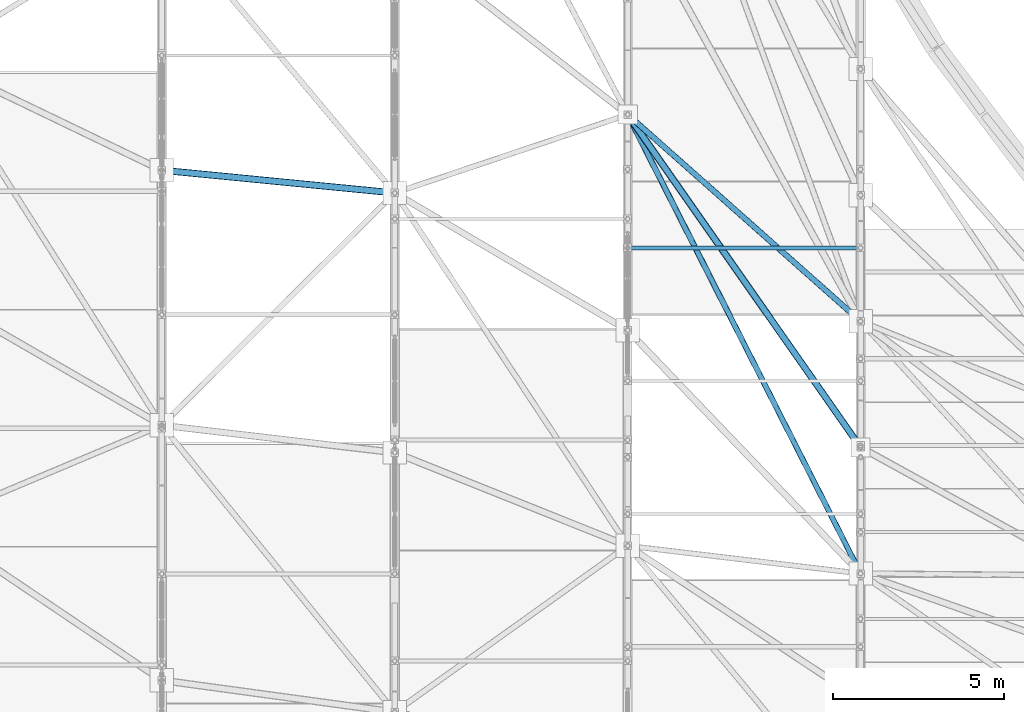
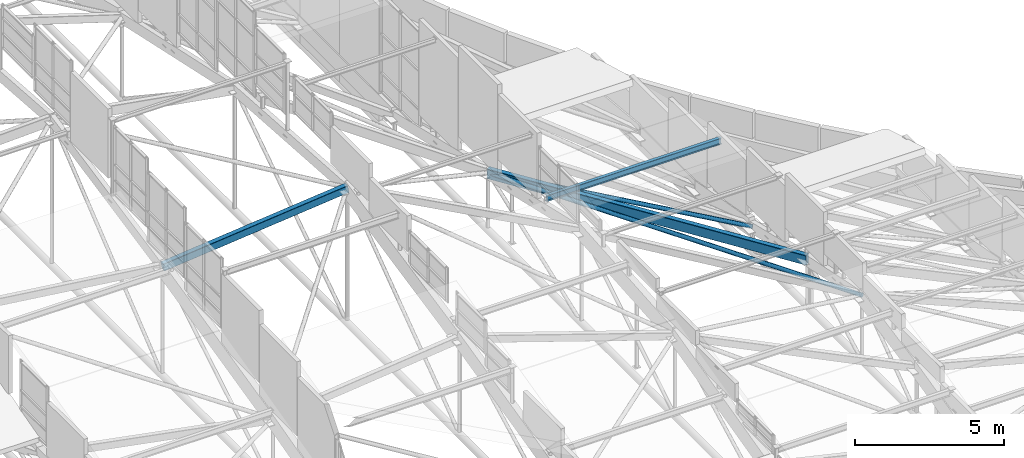
# One storey, part 22 of 188: 5 members.
"""IFC4 building model written with IfcOpenShell, lengths in metres."""

from ifc_helpers import new_model, si_unit, direction, frame, origin, origin_2d, place, context, subcontext, project, spatial, hollow_rectangle, hollow_circle, i_section, extrude, material, material_profile, profile_set, type_object, element, save


model = new_model("IFC4")

# Units and contexts
model_context = context("Model", 3, precision=1e-05, world=origin(), true_north=direction((0.0, 1.0)))
body_context = subcontext(model_context, "Body", "Model", "MODEL_VIEW")
ifc_project = project(units=[si_unit("LENGTHUNIT", "METRE"), si_unit("AREAUNIT", "SQUARE_METRE"), si_unit("VOLUMEUNIT", "CUBIC_METRE"), si_unit("PLANEANGLEUNIT", "RADIAN"), si_unit("MASSUNIT", "GRAM", prefix="KILO")], contexts=[model_context])

# Site, building, storey
site_placement = place(None, origin())
site = spatial("IfcSite", under=ifc_project, at=site_placement, CompositionType="ELEMENT")
building_placement = place(site_placement, origin())
building = spatial("IfcBuilding", under=site, at=building_placement, Name="Kisaragi Civic Commons", CompositionType="ELEMENT")
storey_placement = place(building_placement, frame((0.0, 0.0, 9.60009765625)))
storey = spatial("IfcBuildingStorey", under=building, at=storey_placement, Name="L02", CompositionType="ELEMENT", Elevation=9.60009765625)

# Members
ifc_material_1 = material(Name="Steel SN400 (SN400B)", Category="steel")
ifc_material_profile_1 = material_profile(ifc_material_1, hollow_circle(Radius=0.08251953125, WallThickness=0.006103515625, at=origin_2d()), Name="CHS-165.2x6.0", Category="steel")
ifc_profile_set_1 = profile_set([ifc_material_profile_1], Name="Steel SN400 (SN400B)")
member_type_1 = type_object("IfcMemberType", Name="BR-02", PredefinedType="BRACE", material=ifc_profile_set_1)
member_1_placement = place(storey_placement, frame((27.199951171875, 26.800537109375, 1.898193359375), z_axis=(0.452109991358, -0.890731187871, 0.046845561881), x_axis=(0.891710157198, 0.452606888536, 0.0)))
element("IfcMember", 1, at=member_1_placement, inside=storey, type_object=member_type_1, Name="V1 diagonal gridshell steel brace 27", PredefinedType="BRACE", context=body_context, shape_type="SweptSolid", body=[
    extrude(hollow_circle(Radius=0.08251953125, WallThickness=0.006103515625, at=origin_2d()), origin(), (0.0, 0.0, 1.0), 15.040771484375),
])
member_2_placement = place(storey_placement, frame((27.199951171875, 26.800537109375, 1.898193359375), z_axis=(0.743970108761, -0.660152272216, -0.103476831987), x_axis=(0.663715185477, 0.747985395958, 0.0)))
element("IfcMember", 2, at=member_2_placement, inside=storey, type_object=member_type_1, Name="V1 diagonal gridshell steel brace 28", PredefinedType="BRACE", context=body_context, shape_type="SweptSolid", body=[
    extrude(hollow_circle(Radius=0.08251953125, WallThickness=0.006103515625, at=origin_2d()), origin(), (0.0, 0.0, 1.0), 9.14013671875),
])
ifc_material_2 = material(Name="Steel SN490 (SN490B)", Category="steel")
ifc_material_profile_2 = material_profile(ifc_material_2, hollow_rectangle(XDim=0.199951171875, YDim=0.39990234375, WallThickness=0.011962890625, InnerFilletRadius=0.011962890625, OuterFilletRadius=0.02392578125, at=origin_2d()), Name="STKR-400x200x12", Category="steel")
ifc_profile_set_2 = profile_set([ifc_material_profile_2], Name="Steel SN490 (SN490B)")
member_type_2 = type_object("IfcMemberType", Name="GC-01", PredefinedType="CHORD", material=ifc_profile_set_2)
member_3_placement = place(storey_placement, frame((27.199951171875, 26.800537109375, 1.898193359375), z_axis=(0.573408419446, -0.819257819691, -0.004405608077), x_axis=(0.819265770451, 0.573413984279, 0.0)))
element("IfcMember", 3, at=member_3_placement, inside=storey, type_object=member_type_2, Name="V1 wave gridshell chord GC-01 32", PredefinedType="CHORD", context=body_context, shape_type="SweptSolid", body=[
    extrude(hollow_rectangle(XDim=0.199951171875, YDim=0.39990234375, WallThickness=0.011962890625, InnerFilletRadius=0.011962890625, OuterFilletRadius=0.02392578125, at=origin_2d()), origin(), (0.0, 0.0, 1.0), 11.85888671875),
])
ifc_material_profile_3 = material_profile(ifc_material_2, hollow_rectangle(XDim=0.199951171875, YDim=0.300048828125, WallThickness=0.009033203125, InnerFilletRadius=0.009033203125, OuterFilletRadius=0.01806640625, at=origin_2d()), Name="STKR-300x200x9", Category="steel")
ifc_profile_set_3 = profile_set([ifc_material_profile_3], Name="Steel SN490 (SN490B)")
member_type_3 = type_object("IfcMemberType", Name="GC-02", PredefinedType="CHORD", material=ifc_profile_set_3)
member_4_placement = place(storey_placement, frame((13.60009765625, 25.17529296875, 3.785888671875), z_axis=(0.978832093369, -0.095416096995, 0.181062147962), x_axis=(0.097019671479, 0.995282464101, 0.0)))
element("IfcMember", 4, at=member_4_placement, inside=storey, type_object=member_type_3, Name="V1 wave gridshell chord GC-02 17", PredefinedType="CHORD", context=body_context, shape_type="SweptSolid", body=[
    extrude(hollow_rectangle(XDim=0.199951171875, YDim=0.300048828125, WallThickness=0.009033203125, InnerFilletRadius=0.009033203125, OuterFilletRadius=0.01806640625, at=origin_2d()), origin(), (0.0, 0.0, 1.0), 6.94677734375),
])
ifc_material_profile_4 = material_profile(ifc_material_1, i_section(OverallWidth=0.125, OverallDepth=0.25, WebThickness=0.006103515625, FlangeThickness=0.009033203125, FilletRadius=0.008056640625, at=origin_2d()), Name="H-250x125x6x9", Category="steel")
ifc_profile_set_4 = profile_set([ifc_material_profile_4], Name="Steel SN400 (SN400B)")
member_type_4 = type_object("IfcMemberType", Name="PR-01", PredefinedType="PURLIN", material=ifc_profile_set_4)
member_5_placement = place(storey_placement, frame((27.199951171875, 22.907470703125, 3.209716796875), z_axis=(1.0, 0.0, 0.0), x_axis=(0.0, 1.0, 0.0)))
element("IfcMember", 5, at=member_5_placement, inside=storey, type_object=member_type_4, Name="V1 wave vault steel purlin 38", PredefinedType="PURLIN", context=body_context, shape_type="SweptSolid", body=[
    extrude(i_section(OverallWidth=0.125, OverallDepth=0.25, WebThickness=0.006103515625, FlangeThickness=0.009033203125, FilletRadius=0.008056640625, at=origin_2d()), origin(), (0.0, 0.0, 1.0), 6.800048828125),
])

save(model, "model.ifc")
